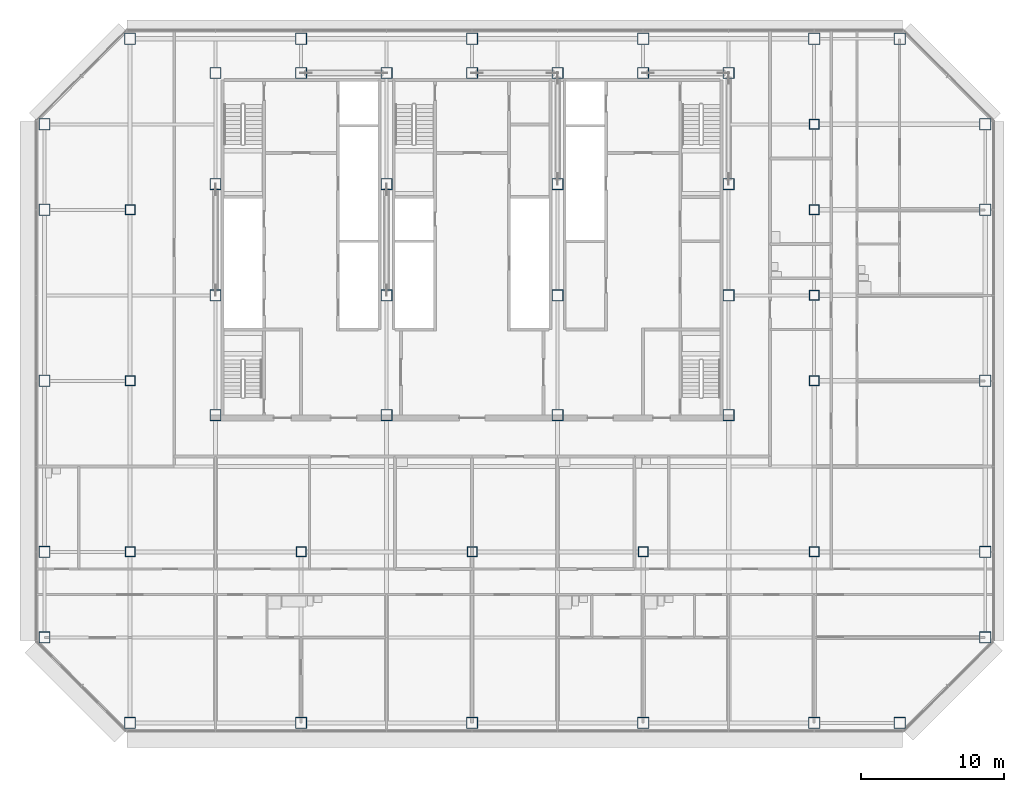
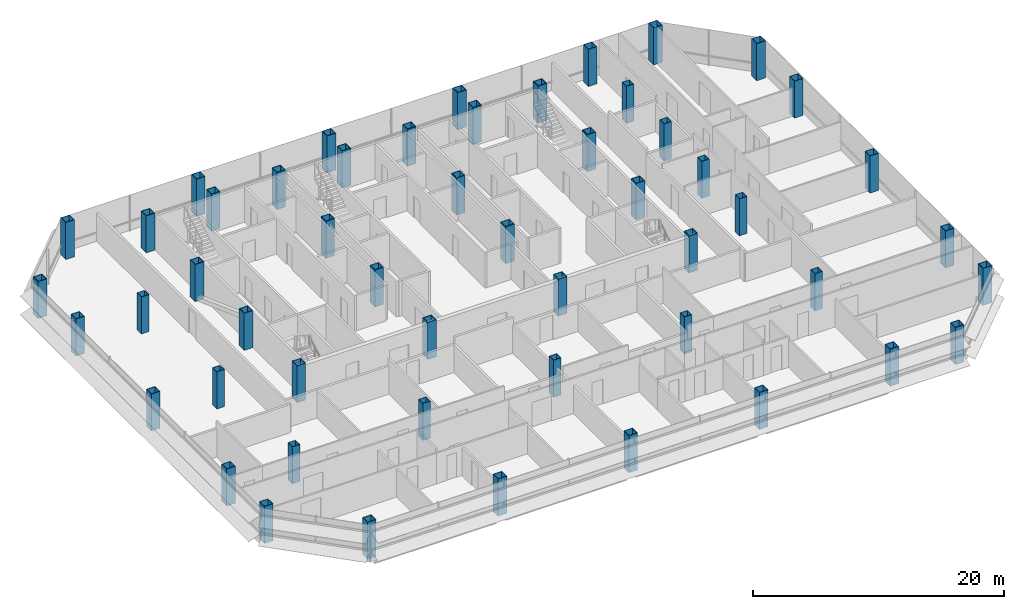
# One storey, part 1 of 25: 52 columns.
"""IFC4 building model written with IfcOpenShell, lengths in metres."""

from ifc_helpers import new_model, si_unit, direction, frame, origin, origin_2d, place, context, subcontext, project, spatial, hollow_rectangle, extrude, material, material_profile, profile_set, type_object, element, save


model = new_model("IFC4")

# Units and contexts
model_context = context("Model", 3, precision=1e-05, world=origin(), true_north=direction((0.0, 1.0)))
body_context = subcontext(model_context, "Body", "Model", "MODEL_VIEW")
ifc_project = project(units=[si_unit("LENGTHUNIT", "METRE"), si_unit("AREAUNIT", "SQUARE_METRE"), si_unit("VOLUMEUNIT", "CUBIC_METRE"), si_unit("PLANEANGLEUNIT", "RADIAN"), si_unit("MASSUNIT", "GRAM", prefix="KILO")], contexts=[model_context])

# Site, building, storey
site_placement = place(None, origin())
site = spatial("IfcSite", under=ifc_project, at=site_placement, CompositionType="ELEMENT")
building_placement = place(site_placement, origin())
building = spatial("IfcBuilding", under=site, at=building_placement, Name="Sorahane Residences", CompositionType="ELEMENT")
storey_placement = place(building_placement, frame((0.0, 0.0, 123.199951171875)))
storey = spatial("IfcBuildingStorey", under=building, at=storey_placement, Name="L27", CompositionType="ELEMENT", Elevation=123.199951171875)

# Columns
ifc_material_1 = material(Name="Steel Q355B", Category="steel")
ifc_material_profile_1 = material_profile(ifc_material_1, hollow_rectangle(XDim=0.699951171875, YDim=0.699951171875, WallThickness=0.035888671875, at=origin_2d()), Name="BOX 700x700x36")
ifc_profile_set_1 = profile_set([ifc_material_profile_1], Name="Steel Q355B")
column_type_1 = type_object("IfcColumnType", Name="Steel box column BOX 700x700x36 Q355B", PredefinedType="COLUMN", material=ifc_profile_set_1)
for number, where, z_axis, x_axis, name in (
    (1, (0.0, 12.0, 0.0), (0.0, 0.0, 1.0), (1.0, 0.0, 0.0), "Column L27 0/12"),
    (2, (0.0, 24.0, 0.0), (0.0, 0.0, 1.0), (1.0, 0.0, 0.0), "Column L27 0/24"),
    (3, (0.0, 36.0, 0.0), (0.0, 0.0, 1.0), (1.0, 0.0, 0.0), "Column L27 0/36"),
    (4, (12.0, 12.0, 0.0), (0.0, 0.0, 1.0), (1.0, 0.0, 0.0), "Column L27 12/12"),
    (5, (24.0, 12.0, 0.0), (0.0, 0.0, 1.0), (1.0, 0.0, 0.0), "Column L27 24/12"),
    (6, (36.0, 12.0, 0.0), (0.0, 0.0, 1.0), (1.0, 0.0, 0.0), "Column L27 36/12"),
    (7, (48.0, 12.0, 0.0), (0.0, 0.0, 1.0), (1.0, 0.0, 0.0), "Column L27 48/12"),
    (8, (48.0, 24.0, 0.0), (0.0, 0.0, 1.0), (1.0, 0.0, 0.0), "Column L27 48/24"),
    (9, (48.0, 30.0, 0.0), (0.0, 0.0, 1.0), (1.0, 0.0, 0.0), "Column L27 48/30"),
    (10, (48.0, 36.0, 0.0), (0.0, 0.0, 1.0), (1.0, 0.0, 0.0), "Column L27 48/36"),
    (11, (48.0, 42.0, 0.0), (0.0, 0.0, 1.0), (1.0, 0.0, 0.0), "Column L27 48/42"),
):
    element("IfcColumn", number, at=place(storey_placement, frame(where, z_axis=z_axis, x_axis=x_axis)), inside=storey, type_object=column_type_1, Name=name, PredefinedType="COLUMN", context=body_context, shape_type="SweptSolid", body=[
        extrude(hollow_rectangle(XDim=0.699951171875, YDim=0.699951171875, WallThickness=0.035888671875, at=origin_2d()), origin(), (0.0, 0.0, 1.0), 3.60009765625),
    ])
ifc_material_2 = material(Name="Steel Q355B", Category="steel")
ifc_material_profile_2 = material_profile(ifc_material_2, hollow_rectangle(XDim=0.800048828125, YDim=0.800048828125, WallThickness=0.0400390625, at=origin_2d()), Name="BOX 800x800x40")
ifc_profile_set_2 = profile_set([ifc_material_profile_2], Name="Steel Q355B")
column_type_2 = type_object("IfcColumnType", Name="Steel box column BOX 800x800x40 Q355B", PredefinedType="COLUMN", material=ifc_profile_set_2)
for number, where, z_axis, x_axis, name in (
    (12, (-6.0, 6.0, 0.0), (0.0, 0.0, 1.0), (1.0, 0.0, 0.0), "Column L27 m6/6"),
    (13, (-6.0, 12.0, 0.0), (0.0, 0.0, 1.0), (1.0, 0.0, 0.0), "Column L27 m6/12"),
    (14, (-6.0, 24.0, 0.0), (0.0, 0.0, 1.0), (1.0, 0.0, 0.0), "Column L27 m6/24"),
    (15, (-6.0, 36.0, 0.0), (0.0, 0.0, 1.0), (1.0, 0.0, 0.0), "Column L27 m6/36"),
    (16, (-6.0, 42.0, 0.0), (0.0, 0.0, 1.0), (1.0, 0.0, 0.0), "Column L27 m6/42"),
    (17, (0.0, 0.0, 0.0), (0.0, 0.0, 1.0), (1.0, 0.0, 0.0), "Column L27 0/0"),
    (18, (0.0, 48.0, 0.0), (0.0, 0.0, 1.0), (1.0, 0.0, 0.0), "Column L27 0/48"),
    (19, (12.0, 0.0, 0.0), (0.0, 0.0, 1.0), (1.0, 0.0, 0.0), "Column L27 12/0"),
    (20, (12.0, 48.0, 0.0), (0.0, 0.0, 1.0), (1.0, 0.0, 0.0), "Column L27 12/48"),
    (21, (24.0, 0.0, 0.0), (0.0, 0.0, 1.0), (1.0, 0.0, 0.0), "Column L27 24/0"),
    (22, (24.0, 48.0, 0.0), (0.0, 0.0, 1.0), (1.0, 0.0, 0.0), "Column L27 24/48"),
    (23, (36.0, 0.0, 0.0), (0.0, 0.0, 1.0), (1.0, 0.0, 0.0), "Column L27 36/0"),
    (24, (36.0, 48.0, 0.0), (0.0, 0.0, 1.0), (1.0, 0.0, 0.0), "Column L27 36/48"),
    (25, (48.0, 0.0, 0.0), (0.0, 0.0, 1.0), (1.0, 0.0, 0.0), "Column L27 48/0"),
    (26, (48.0, 48.0, 0.0), (0.0, 0.0, 1.0), (1.0, 0.0, 0.0), "Column L27 48/48"),
    (27, (54.0, 0.0, 0.0), (0.0, 0.0, 1.0), (1.0, 0.0, 0.0), "Column L27 54/0"),
    (28, (54.0, 48.0, 0.0), (0.0, 0.0, 1.0), (1.0, 0.0, 0.0), "Column L27 54/48"),
    (29, (60.0, 6.0, 0.0), (0.0, 0.0, 1.0), (1.0, 0.0, 0.0), "Column L27 60/6"),
    (30, (60.0, 12.0, 0.0), (0.0, 0.0, 1.0), (1.0, 0.0, 0.0), "Column L27 60/12"),
    (31, (60.0, 24.0, 0.0), (0.0, 0.0, 1.0), (1.0, 0.0, 0.0), "Column L27 60/24"),
    (32, (60.0, 36.0, 0.0), (0.0, 0.0, 1.0), (1.0, 0.0, 0.0), "Column L27 60/36"),
    (33, (60.0, 42.0, 0.0), (0.0, 0.0, 1.0), (1.0, 0.0, 0.0), "Column L27 60/42"),
):
    element("IfcColumn", number, at=place(storey_placement, frame(where, z_axis=z_axis, x_axis=x_axis)), inside=storey, type_object=column_type_2, Name=name, PredefinedType="COLUMN", context=body_context, shape_type="SweptSolid", body=[
        extrude(hollow_rectangle(XDim=0.800048828125, YDim=0.800048828125, WallThickness=0.0400390625, at=origin_2d()), origin(), (0.0, 0.0, 1.0), 3.60009765625),
    ])
ifc_material_3 = material(Name="Steel Q420GJ", Category="steel")
ifc_material_profile_3 = material_profile(ifc_material_3, hollow_rectangle(XDim=0.800048828125, YDim=0.800048828125, WallThickness=0.050048828125, at=origin_2d()), Name="BOX 800x800x50")
ifc_profile_set_3 = profile_set([ifc_material_profile_3], Name="Steel Q420GJ")
column_type_3 = type_object("IfcColumnType", Name="Steel box column BOX 800x800x50 Q420GJ", PredefinedType="COLUMN", material=ifc_profile_set_3)
for number, where, z_axis, x_axis, name in (
    (34, (6.0, 21.60009765625, 0.0), (0.0, 0.0, 1.0), (1.0, 0.0, 0.0), "Column L27 6/21.6"),
    (35, (6.0, 30.0, 0.0), (0.0, 0.0, 1.0), (1.0, 0.0, 0.0), "Column L27 6/30"),
    (36, (6.0, 37.800048828125, 0.0), (0.0, 0.0, 1.0), (1.0, 0.0, 0.0), "Column L27 6/37.8"),
    (37, (6.0, 45.60009765625, 0.0), (0.0, 0.0, 1.0), (1.0, 0.0, 0.0), "Column L27 6/45.6"),
    (38, (12.0, 45.60009765625, 0.0), (0.0, 0.0, 1.0), (1.0, 0.0, 0.0), "Column L27 12/45.6"),
    (39, (18.0, 21.60009765625, 0.0), (0.0, 0.0, 1.0), (1.0, 0.0, 0.0), "Column L27 18/21.6"),
    (40, (18.0, 30.0, 0.0), (0.0, 0.0, 1.0), (1.0, 0.0, 0.0), "Column L27 18/30"),
    (41, (18.0, 37.800048828125, 0.0), (0.0, 0.0, 1.0), (1.0, 0.0, 0.0), "Column L27 18/37.8"),
    (42, (18.0, 45.60009765625, 0.0), (0.0, 0.0, 1.0), (1.0, 0.0, 0.0), "Column L27 18/45.6"),
    (43, (24.0, 45.60009765625, 0.0), (0.0, 0.0, 1.0), (1.0, 0.0, 0.0), "Column L27 24/45.6"),
    (44, (30.0, 21.60009765625, 0.0), (0.0, 0.0, 1.0), (1.0, 0.0, 0.0), "Column L27 30/21.6"),
    (45, (30.0, 30.0, 0.0), (0.0, 0.0, 1.0), (1.0, 0.0, 0.0), "Column L27 30/30"),
    (46, (30.0, 37.800048828125, 0.0), (0.0, 0.0, 1.0), (1.0, 0.0, 0.0), "Column L27 30/37.8"),
    (47, (30.0, 45.60009765625, 0.0), (0.0, 0.0, 1.0), (1.0, 0.0, 0.0), "Column L27 30/45.6"),
    (48, (36.0, 45.60009765625, 0.0), (0.0, 0.0, 1.0), (1.0, 0.0, 0.0), "Column L27 36/45.6"),
    (49, (42.0, 21.60009765625, 0.0), (0.0, 0.0, 1.0), (1.0, 0.0, 0.0), "Column L27 42/21.6"),
    (50, (42.0, 30.0, 0.0), (0.0, 0.0, 1.0), (1.0, 0.0, 0.0), "Column L27 42/30"),
    (51, (42.0, 37.800048828125, 0.0), (0.0, 0.0, 1.0), (1.0, 0.0, 0.0), "Column L27 42/37.8"),
    (52, (42.0, 45.60009765625, 0.0), (0.0, 0.0, 1.0), (1.0, 0.0, 0.0), "Column L27 42/45.6"),
):
    element("IfcColumn", number, at=place(storey_placement, frame(where, z_axis=z_axis, x_axis=x_axis)), inside=storey, type_object=column_type_3, Name=name, PredefinedType="COLUMN", context=body_context, shape_type="SweptSolid", body=[
        extrude(hollow_rectangle(XDim=0.800048828125, YDim=0.800048828125, WallThickness=0.050048828125, at=origin_2d()), origin(), (0.0, 0.0, 1.0), 3.60009765625),
    ])

save(model, "model.ifc")
